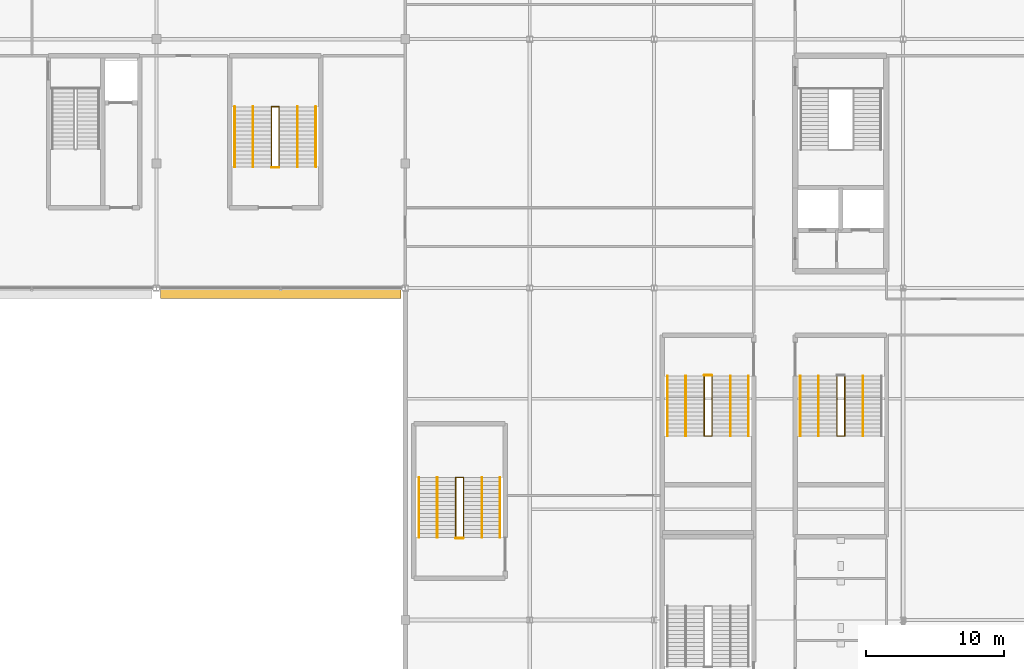
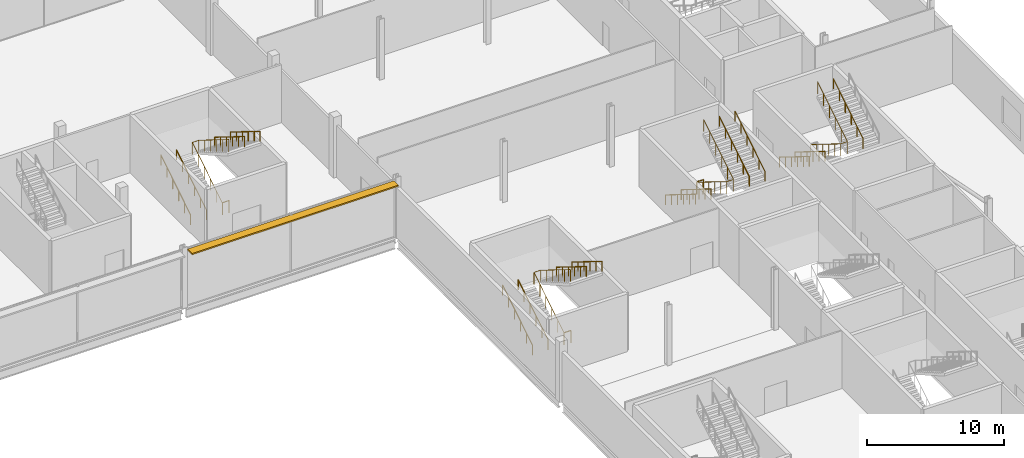
# One storey, part 108 of 111: 22 railings, 1 shading device.
"""IFC4 building model written with IfcOpenShell, lengths in metres."""

from ifc_helpers import new_model, si_unit, direction, frame, origin, origin_2d, place, context, subcontext, project, spatial, rectangle, circle, extrude, material, type_object, element, save


model = new_model("IFC4")

# Units and contexts
model_context = context("Model", 3, precision=1e-05, world=origin(), true_north=direction((0.0, 1.0)))
body_context = subcontext(model_context, "Body", "Model", "MODEL_VIEW")
ifc_project = project(units=[si_unit("LENGTHUNIT", "METRE"), si_unit("AREAUNIT", "SQUARE_METRE"), si_unit("VOLUMEUNIT", "CUBIC_METRE"), si_unit("PLANEANGLEUNIT", "RADIAN"), si_unit("MASSUNIT", "GRAM", prefix="KILO")], contexts=[model_context])

# Site, building, storey
site_placement = place(None, origin())
site = spatial("IfcSite", under=ifc_project, at=site_placement, CompositionType="ELEMENT")
building_placement = place(site_placement, origin())
building = spatial("IfcBuilding", under=site, at=building_placement, Name="Kisiwana Market Hall", CompositionType="ELEMENT")
storey_placement = place(building_placement, frame((0.0, 0.0, 11.39990234375)))
storey = spatial("IfcBuildingStorey", under=building, at=storey_placement, Name="L02", CompositionType="ELEMENT", Elevation=11.39990234375)

# Railings
ifc_material_1 = material(Name="Steel S275", Category="steel")
railing_type_1 = type_object("IfcRailingType", Name="RL-GUARD-1100", PredefinedType="GUARDRAIL", material=ifc_material_1)
railing_1_placement = place(storey_placement, frame((184.219970703125, 77.639892578125, 0.0)))
element("IfcRailing", 1, at=railing_1_placement, inside=storey, type_object=railing_type_1, Name="Stair ST-E4-L02 inner-well guardrail (RL-525)", PredefinedType="GUARDRAIL", context=body_context, shape_type="SweptSolid", body=[
    extrude(circle(Radius=0.02392578125, at=origin_2d()), frame((0.0, 0.0, 1.076171875), z_axis=(0.0, -0.849615114927, 0.52740322002), x_axis=(1.0, 0.0, 0.0)), (0.0, 0.0, 1.0), 5.119873046875),
    extrude(circle(Radius=0.02392578125, at=origin_2d()), frame((0.0, -4.349853515625, 3.7763671875), z_axis=(1.0, 0.0, 0.0), x_axis=(0.0, 1.0, 0.0)), (0.0, 0.0, 1.0), 0.56005859375),
    extrude(circle(Radius=0.02392578125, at=origin_2d()), frame((0.56005859375, -4.349853515625, 3.7763671875), z_axis=(0.0, 0.849636482215, 0.527368797038), x_axis=(-1.0, 0.0, 0.0)), (0.0, 0.0, 1.0), 5.11962890625),
    extrude(circle(Radius=0.02099609375, at=origin_2d()), origin(), (0.0, 0.0, 1.0), 1.052001953125),
    extrude(circle(Radius=0.02099609375, at=origin_2d()), frame((0.0, -0.869873046875, 0.5400390625)), (0.0, 0.0, 1.0), 1.052001953125),
    extrude(circle(Radius=0.02099609375, at=origin_2d()), frame((0.0, -1.739990234375, 1.080078125)), (0.0, 0.0, 1.0), 1.052001953125),
    extrude(circle(Radius=0.02099609375, at=origin_2d()), frame((0.0, -2.60986328125, 1.6201171875)), (0.0, 0.0, 1.0), 1.052001953125),
    extrude(circle(Radius=0.02099609375, at=origin_2d()), frame((0.0, -3.47998046875, 2.16015625)), (0.0, 0.0, 1.0), 1.052001953125),
    extrude(circle(Radius=0.02099609375, at=origin_2d()), frame((0.0, -4.349853515625, 2.7001953125)), (0.0, 0.0, 1.0), 1.052001953125),
    extrude(circle(Radius=0.02099609375, at=origin_2d()), frame((0.56005859375, -4.349853515625, 2.7001953125)), (0.0, 0.0, 1.0), 1.052001953125),
    extrude(circle(Radius=0.02099609375, at=origin_2d()), frame((0.56005859375, -3.47998046875, 3.240234375)), (0.0, 0.0, 1.0), 1.052001953125),
    extrude(circle(Radius=0.02099609375, at=origin_2d()), frame((0.56005859375, -2.60986328125, 3.7802734375)), (0.0, 0.0, 1.0), 1.052001953125),
    extrude(circle(Radius=0.02099609375, at=origin_2d()), frame((0.56005859375, -1.739990234375, 4.320068359375)), (0.0, 0.0, 1.0), 1.052001953125),
    extrude(circle(Radius=0.02099609375, at=origin_2d()), frame((0.56005859375, -0.869873046875, 4.860107421875)), (0.0, 0.0, 1.0), 1.052001953125),
    extrude(circle(Radius=0.02099609375, at=origin_2d()), frame((0.56005859375, 0.0, 5.400146484375)), (0.0, 0.0, 1.0), 1.052001953125),
])
railing_2_placement = place(storey_placement, frame((174.6201171875, 77.639892578125, 0.0)))
element("IfcRailing", 2, at=railing_2_placement, inside=storey, type_object=railing_type_1, Name="Stair ST-E8-L02 inner-well guardrail (RL-549)", PredefinedType="GUARDRAIL", context=body_context, shape_type="SweptSolid", body=[
    extrude(circle(Radius=0.02392578125, at=origin_2d()), frame((0.0, 0.0, 1.076171875), z_axis=(0.0, -0.849615114927, 0.52740322002), x_axis=(1.0, 0.0, 0.0)), (0.0, 0.0, 1.0), 5.119873046875),
    extrude(circle(Radius=0.02392578125, at=origin_2d()), frame((0.0, -4.349853515625, 3.7763671875), z_axis=(1.0, 0.0, 0.0), x_axis=(0.0, 1.0, 0.0)), (0.0, 0.0, 1.0), 0.559814453125),
    extrude(circle(Radius=0.02392578125, at=origin_2d()), frame((0.559814453125, -4.349853515625, 3.7763671875), z_axis=(0.0, 0.849636482215, 0.527368797038), x_axis=(-1.0, 0.0, 0.0)), (0.0, 0.0, 1.0), 5.11962890625),
    extrude(circle(Radius=0.02099609375, at=origin_2d()), origin(), (0.0, 0.0, 1.0), 1.052001953125),
    extrude(circle(Radius=0.02099609375, at=origin_2d()), frame((0.0, -0.869873046875, 0.5400390625)), (0.0, 0.0, 1.0), 1.052001953125),
    extrude(circle(Radius=0.02099609375, at=origin_2d()), frame((0.0, -1.739990234375, 1.080078125)), (0.0, 0.0, 1.0), 1.052001953125),
    extrude(circle(Radius=0.02099609375, at=origin_2d()), frame((0.0, -2.60986328125, 1.6201171875)), (0.0, 0.0, 1.0), 1.052001953125),
    extrude(circle(Radius=0.02099609375, at=origin_2d()), frame((0.0, -3.47998046875, 2.16015625)), (0.0, 0.0, 1.0), 1.052001953125),
    extrude(circle(Radius=0.02099609375, at=origin_2d()), frame((0.0, -4.349853515625, 2.7001953125)), (0.0, 0.0, 1.0), 1.052001953125),
    extrude(circle(Radius=0.02099609375, at=origin_2d()), frame((0.559814453125, -4.349853515625, 2.7001953125)), (0.0, 0.0, 1.0), 1.052001953125),
    extrude(circle(Radius=0.02099609375, at=origin_2d()), frame((0.559814453125, -3.47998046875, 3.240234375)), (0.0, 0.0, 1.0), 1.052001953125),
    extrude(circle(Radius=0.02099609375, at=origin_2d()), frame((0.559814453125, -2.60986328125, 3.7802734375)), (0.0, 0.0, 1.0), 1.052001953125),
    extrude(circle(Radius=0.02099609375, at=origin_2d()), frame((0.559814453125, -1.739990234375, 4.320068359375)), (0.0, 0.0, 1.0), 1.052001953125),
    extrude(circle(Radius=0.02099609375, at=origin_2d()), frame((0.559814453125, -0.869873046875, 4.860107421875)), (0.0, 0.0, 1.0), 1.052001953125),
    extrude(circle(Radius=0.02099609375, at=origin_2d()), frame((0.559814453125, 0.0, 5.400146484375)), (0.0, 0.0, 1.0), 1.052001953125),
])
railing_3_placement = place(storey_placement, frame((174.6201171875, 77.68994140625, 0.0)))
element("IfcRailing", 3, at=railing_3_placement, inside=storey, type_object=railing_type_1, Name="Stair ST-E8-L02 landing edge guardrail (RL-554)", PredefinedType="GUARDRAIL", context=body_context, shape_type="SweptSolid", body=[
    extrude(circle(Radius=0.02392578125, at=origin_2d()), frame((0.0, 0.0, 1.076171875), z_axis=(1.0, 0.0, 0.0), x_axis=(0.0, 1.0, 0.0)), (0.0, 0.0, 1.0), 0.559814453125),
    extrude(circle(Radius=0.02099609375, at=origin_2d()), origin(), (0.0, 0.0, 1.0), 1.052001953125),
    extrude(circle(Radius=0.02099609375, at=origin_2d()), frame((0.559814453125, 0.0, 0.0)), (0.0, 0.0, 1.0), 1.052001953125),
])
railing_4_placement = place(storey_placement, frame((156.64990234375, 65.9599609375, 0.0)))
element("IfcRailing", 4, at=railing_4_placement, inside=storey, type_object=railing_type_1, Name="Stair ST-E10-L02 inner-well guardrail (RL-573)", PredefinedType="GUARDRAIL", context=body_context, shape_type="SweptSolid", body=[
    extrude(circle(Radius=0.02392578125, at=origin_2d()), frame((0.0, 0.0, 1.076171875), z_axis=(0.0, 0.849628378081, 0.527381853271), x_axis=(-1.0, 0.0, 0.0)), (0.0, 0.0, 1.0), 5.1201171875),
    extrude(circle(Radius=0.02392578125, at=origin_2d()), frame((0.0, 4.35009765625, 3.7763671875), z_axis=(1.0, 0.0, 0.0), x_axis=(0.0, 1.0, 0.0)), (0.0, 0.0, 1.0), 0.56005859375),
    extrude(circle(Radius=0.02392578125, at=origin_2d()), frame((0.56005859375, 4.35009765625, 3.7763671875), z_axis=(0.0, -0.849649743971, 0.527347430608), x_axis=(1.0, 0.0, 0.0)), (0.0, 0.0, 1.0), 5.119873046875),
    extrude(circle(Radius=0.02099609375, at=origin_2d()), origin(), (0.0, 0.0, 1.0), 1.052001953125),
    extrude(circle(Radius=0.02099609375, at=origin_2d()), frame((0.0, 0.8701171875, 0.5400390625)), (0.0, 0.0, 1.0), 1.052001953125),
    extrude(circle(Radius=0.02099609375, at=origin_2d()), frame((0.0, 1.739990234375, 1.080078125)), (0.0, 0.0, 1.0), 1.052001953125),
    extrude(circle(Radius=0.02099609375, at=origin_2d()), frame((0.0, 2.610107421875, 1.6201171875)), (0.0, 0.0, 1.0), 1.052001953125),
    extrude(circle(Radius=0.02099609375, at=origin_2d()), frame((0.0, 3.47998046875, 2.16015625)), (0.0, 0.0, 1.0), 1.052001953125),
    extrude(circle(Radius=0.02099609375, at=origin_2d()), frame((0.0, 4.35009765625, 2.7001953125)), (0.0, 0.0, 1.0), 1.052001953125),
    extrude(circle(Radius=0.02099609375, at=origin_2d()), frame((0.56005859375, 4.35009765625, 2.7001953125)), (0.0, 0.0, 1.0), 1.052001953125),
    extrude(circle(Radius=0.02099609375, at=origin_2d()), frame((0.56005859375, 3.47998046875, 3.240234375)), (0.0, 0.0, 1.0), 1.052001953125),
    extrude(circle(Radius=0.02099609375, at=origin_2d()), frame((0.56005859375, 2.610107421875, 3.7802734375)), (0.0, 0.0, 1.0), 1.052001953125),
    extrude(circle(Radius=0.02099609375, at=origin_2d()), frame((0.56005859375, 1.739990234375, 4.320068359375)), (0.0, 0.0, 1.0), 1.052001953125),
    extrude(circle(Radius=0.02099609375, at=origin_2d()), frame((0.56005859375, 0.8701171875, 4.860107421875)), (0.0, 0.0, 1.0), 1.052001953125),
    extrude(circle(Radius=0.02099609375, at=origin_2d()), frame((0.56005859375, 0.0, 5.400146484375)), (0.0, 0.0, 1.0), 1.052001953125),
])
railing_5_placement = place(storey_placement, frame((156.64990234375, 65.909912109375, 0.0)))
element("IfcRailing", 5, at=railing_5_placement, inside=storey, type_object=railing_type_1, Name="Stair ST-E10-L02 landing edge guardrail (RL-578)", PredefinedType="GUARDRAIL", context=body_context, shape_type="SweptSolid", body=[
    extrude(circle(Radius=0.02392578125, at=origin_2d()), frame((0.0, 0.0, 1.076171875), z_axis=(1.0, 0.0, 0.0), x_axis=(0.0, 1.0, 0.0)), (0.0, 0.0, 1.0), 0.56005859375),
    extrude(circle(Radius=0.02099609375, at=origin_2d()), origin(), (0.0, 0.0, 1.0), 1.052001953125),
    extrude(circle(Radius=0.02099609375, at=origin_2d()), frame((0.56005859375, 0.0, 0.0)), (0.0, 0.0, 1.0), 1.052001953125),
])
railing_6_placement = place(storey_placement, frame((143.320068359375, 92.760009765625, 0.0)))
element("IfcRailing", 6, at=railing_6_placement, inside=storey, type_object=railing_type_1, Name="Stair ST-N6-L02 inner-well guardrail (RL-633)", PredefinedType="GUARDRAIL", context=body_context, shape_type="SweptSolid", body=[
    extrude(circle(Radius=0.02392578125, at=origin_2d()), frame((0.0, 0.0, 1.076171875), z_axis=(0.0, 0.849628378081, 0.527381853271), x_axis=(-1.0, 0.0, 0.0)), (0.0, 0.0, 1.0), 5.1201171875),
    extrude(circle(Radius=0.02392578125, at=origin_2d()), frame((0.0, 4.35009765625, 3.7763671875), z_axis=(1.0, 0.0, 0.0), x_axis=(0.0, 1.0, 0.0)), (0.0, 0.0, 1.0), 0.559814453125),
    extrude(circle(Radius=0.02392578125, at=origin_2d()), frame((0.559814453125, 4.35009765625, 3.7763671875), z_axis=(0.0, -0.849649743971, 0.527347430608), x_axis=(1.0, 0.0, 0.0)), (0.0, 0.0, 1.0), 5.119873046875),
    extrude(circle(Radius=0.02099609375, at=origin_2d()), origin(), (0.0, 0.0, 1.0), 1.052001953125),
    extrude(circle(Radius=0.02099609375, at=origin_2d()), frame((0.0, 0.8701171875, 0.5400390625)), (0.0, 0.0, 1.0), 1.052001953125),
    extrude(circle(Radius=0.02099609375, at=origin_2d()), frame((0.0, 1.739990234375, 1.080078125)), (0.0, 0.0, 1.0), 1.052001953125),
    extrude(circle(Radius=0.02099609375, at=origin_2d()), frame((0.0, 2.610107421875, 1.6201171875)), (0.0, 0.0, 1.0), 1.052001953125),
    extrude(circle(Radius=0.02099609375, at=origin_2d()), frame((0.0, 3.47998046875, 2.16015625)), (0.0, 0.0, 1.0), 1.052001953125),
    extrude(circle(Radius=0.02099609375, at=origin_2d()), frame((0.0, 4.35009765625, 2.7001953125)), (0.0, 0.0, 1.0), 1.052001953125),
    extrude(circle(Radius=0.02099609375, at=origin_2d()), frame((0.559814453125, 4.35009765625, 2.7001953125)), (0.0, 0.0, 1.0), 1.052001953125),
    extrude(circle(Radius=0.02099609375, at=origin_2d()), frame((0.559814453125, 3.47998046875, 3.240234375)), (0.0, 0.0, 1.0), 1.052001953125),
    extrude(circle(Radius=0.02099609375, at=origin_2d()), frame((0.559814453125, 2.610107421875, 3.7802734375)), (0.0, 0.0, 1.0), 1.052001953125),
    extrude(circle(Radius=0.02099609375, at=origin_2d()), frame((0.559814453125, 1.739990234375, 4.320068359375)), (0.0, 0.0, 1.0), 1.052001953125),
    extrude(circle(Radius=0.02099609375, at=origin_2d()), frame((0.559814453125, 0.8701171875, 4.860107421875)), (0.0, 0.0, 1.0), 1.052001953125),
    extrude(circle(Radius=0.02099609375, at=origin_2d()), frame((0.559814453125, 0.0, 5.400146484375)), (0.0, 0.0, 1.0), 1.052001953125),
])
railing_7_placement = place(storey_placement, frame((143.320068359375, 92.7099609375, 0.0)))
element("IfcRailing", 7, at=railing_7_placement, inside=storey, type_object=railing_type_1, Name="Stair ST-N6-L02 landing edge guardrail (RL-638)", PredefinedType="GUARDRAIL", context=body_context, shape_type="SweptSolid", body=[
    extrude(circle(Radius=0.02392578125, at=origin_2d()), frame((0.0, 0.0, 1.076171875), z_axis=(1.0, 0.0, 0.0), x_axis=(0.0, 1.0, 0.0)), (0.0, 0.0, 1.0), 0.559814453125),
    extrude(circle(Radius=0.02099609375, at=origin_2d()), origin(), (0.0, 0.0, 1.0), 1.052001953125),
    extrude(circle(Radius=0.02099609375, at=origin_2d()), frame((0.559814453125, 0.0, 0.0)), (0.0, 0.0, 1.0), 1.052001953125),
])
ifc_material_2 = material(Name="Steel S275", Category="steel")
railing_type_2 = type_object("IfcRailingType", Name="RL-HAND-900", PredefinedType="HANDRAIL", material=ifc_material_2)
for number, where, name in (
    (8, (181.570068359375, 77.639892578125, 0.0), "Stair ST-E4-L02 flight 1 handrail (RL-526)"),
    (9, (182.889892578125, 77.639892578125, 0.0), "Stair ST-E4-L02 flight 1 intermediate handrail (RL-528)"),
):
    element("IfcRailing", number, at=place(storey_placement, frame(where)), inside=storey, type_object=railing_type_2, Name=name, PredefinedType="HANDRAIL", context=body_context, shape_type="SweptSolid", body=[
        extrude(circle(Radius=0.02392578125, at=origin_2d()), frame((0.0, 0.0, 0.8759765625), z_axis=(0.0, -0.849615114927, 0.52740322002), x_axis=(1.0, 0.0, 0.0)), (0.0, 0.0, 1.0), 5.119873046875),
        extrude(circle(Radius=0.02099609375, at=origin_2d()), origin(), (0.0, 0.0, 1.0), 0.851806640625),
        extrude(circle(Radius=0.02099609375, at=origin_2d()), frame((0.0, -0.869873046875, 0.5400390625)), (0.0, 0.0, 1.0), 0.851806640625),
        extrude(circle(Radius=0.02099609375, at=origin_2d()), frame((0.0, -1.739990234375, 1.080078125)), (0.0, 0.0, 1.0), 0.851806640625),
        extrude(circle(Radius=0.02099609375, at=origin_2d()), frame((0.0, -2.60986328125, 1.6201171875)), (0.0, 0.0, 1.0), 0.851806640625),
        extrude(circle(Radius=0.02099609375, at=origin_2d()), frame((0.0, -3.47998046875, 2.16015625)), (0.0, 0.0, 1.0), 0.851806640625),
        extrude(circle(Radius=0.02099609375, at=origin_2d()), frame((0.0, -4.349853515625, 2.7001953125)), (0.0, 0.0, 1.0), 0.851806640625),
    ])
railing_8_placement = place(storey_placement, frame((186.110107421875, 73.2900390625, 2.7001953125)))
element("IfcRailing", 10, at=railing_8_placement, inside=storey, type_object=railing_type_2, Name="Stair ST-E4-L02 flight 2 intermediate handrail (RL-529)", PredefinedType="HANDRAIL", context=body_context, shape_type="SweptSolid", body=[
    extrude(circle(Radius=0.02392578125, at=origin_2d()), frame((0.0, 0.0, 0.8759765625), z_axis=(0.0, 0.849636482215, 0.527368797038), x_axis=(-1.0, 0.0, 0.0)), (0.0, 0.0, 1.0), 5.11962890625),
    extrude(circle(Radius=0.02099609375, at=origin_2d()), origin(), (0.0, 0.0, 1.0), 0.851806640625),
    extrude(circle(Radius=0.02099609375, at=origin_2d()), frame((0.0, 0.869873046875, 0.5400390625)), (0.0, 0.0, 1.0), 0.851806640625),
    extrude(circle(Radius=0.02099609375, at=origin_2d()), frame((0.0, 1.739990234375, 1.080078125)), (0.0, 0.0, 1.0), 0.851806640625),
    extrude(circle(Radius=0.02099609375, at=origin_2d()), frame((0.0, 2.60986328125, 1.619873046875)), (0.0, 0.0, 1.0), 0.851806640625),
    extrude(circle(Radius=0.02099609375, at=origin_2d()), frame((0.0, 3.47998046875, 2.159912109375)), (0.0, 0.0, 1.0), 0.851806640625),
    extrude(circle(Radius=0.02099609375, at=origin_2d()), frame((0.0, 4.349853515625, 2.699951171875)), (0.0, 0.0, 1.0), 0.851806640625),
])
railing_9_placement = place(storey_placement, frame((171.969970703125, 77.639892578125, 0.0)))
element("IfcRailing", 11, at=railing_9_placement, inside=storey, type_object=railing_type_2, Name="Stair ST-E8-L02 flight 1 handrail (RL-550)", PredefinedType="HANDRAIL", context=body_context, shape_type="SweptSolid", body=[
    extrude(circle(Radius=0.02392578125, at=origin_2d()), frame((0.0, 0.0, 0.8759765625), z_axis=(0.0, -0.849615114927, 0.52740322002), x_axis=(1.0, 0.0, 0.0)), (0.0, 0.0, 1.0), 5.119873046875),
    extrude(circle(Radius=0.02099609375, at=origin_2d()), origin(), (0.0, 0.0, 1.0), 0.851806640625),
    extrude(circle(Radius=0.02099609375, at=origin_2d()), frame((0.0, -0.869873046875, 0.5400390625)), (0.0, 0.0, 1.0), 0.851806640625),
    extrude(circle(Radius=0.02099609375, at=origin_2d()), frame((0.0, -1.739990234375, 1.080078125)), (0.0, 0.0, 1.0), 0.851806640625),
    extrude(circle(Radius=0.02099609375, at=origin_2d()), frame((0.0, -2.60986328125, 1.6201171875)), (0.0, 0.0, 1.0), 0.851806640625),
    extrude(circle(Radius=0.02099609375, at=origin_2d()), frame((0.0, -3.47998046875, 2.16015625)), (0.0, 0.0, 1.0), 0.851806640625),
    extrude(circle(Radius=0.02099609375, at=origin_2d()), frame((0.0, -4.349853515625, 2.7001953125)), (0.0, 0.0, 1.0), 0.851806640625),
])
railing_10_placement = place(storey_placement, frame((177.830078125, 73.2900390625, 2.7001953125)))
element("IfcRailing", 12, at=railing_10_placement, inside=storey, type_object=railing_type_2, Name="Stair ST-E8-L02 flight 2 handrail (RL-551)", PredefinedType="HANDRAIL", context=body_context, shape_type="SweptSolid", body=[
    extrude(circle(Radius=0.02392578125, at=origin_2d()), frame((0.0, 0.0, 0.8759765625), z_axis=(0.0, 0.849636482215, 0.527368797038), x_axis=(-1.0, 0.0, 0.0)), (0.0, 0.0, 1.0), 5.11962890625),
    extrude(circle(Radius=0.02099609375, at=origin_2d()), origin(), (0.0, 0.0, 1.0), 0.851806640625),
    extrude(circle(Radius=0.02099609375, at=origin_2d()), frame((0.0, 0.869873046875, 0.5400390625)), (0.0, 0.0, 1.0), 0.851806640625),
    extrude(circle(Radius=0.02099609375, at=origin_2d()), frame((0.0, 1.739990234375, 1.080078125)), (0.0, 0.0, 1.0), 0.851806640625),
    extrude(circle(Radius=0.02099609375, at=origin_2d()), frame((0.0, 2.60986328125, 1.619873046875)), (0.0, 0.0, 1.0), 0.851806640625),
    extrude(circle(Radius=0.02099609375, at=origin_2d()), frame((0.0, 3.47998046875, 2.159912109375)), (0.0, 0.0, 1.0), 0.851806640625),
    extrude(circle(Radius=0.02099609375, at=origin_2d()), frame((0.0, 4.349853515625, 2.699951171875)), (0.0, 0.0, 1.0), 0.851806640625),
])
railing_11_placement = place(storey_placement, frame((173.2900390625, 77.639892578125, 0.0)))
element("IfcRailing", 13, at=railing_11_placement, inside=storey, type_object=railing_type_2, Name="Stair ST-E8-L02 flight 1 intermediate handrail (RL-552)", PredefinedType="HANDRAIL", context=body_context, shape_type="SweptSolid", body=[
    extrude(circle(Radius=0.02392578125, at=origin_2d()), frame((0.0, 0.0, 0.8759765625), z_axis=(0.0, -0.849615114927, 0.52740322002), x_axis=(1.0, 0.0, 0.0)), (0.0, 0.0, 1.0), 5.119873046875),
    extrude(circle(Radius=0.02099609375, at=origin_2d()), origin(), (0.0, 0.0, 1.0), 0.851806640625),
    extrude(circle(Radius=0.02099609375, at=origin_2d()), frame((0.0, -0.869873046875, 0.5400390625)), (0.0, 0.0, 1.0), 0.851806640625),
    extrude(circle(Radius=0.02099609375, at=origin_2d()), frame((0.0, -1.739990234375, 1.080078125)), (0.0, 0.0, 1.0), 0.851806640625),
    extrude(circle(Radius=0.02099609375, at=origin_2d()), frame((0.0, -2.60986328125, 1.6201171875)), (0.0, 0.0, 1.0), 0.851806640625),
    extrude(circle(Radius=0.02099609375, at=origin_2d()), frame((0.0, -3.47998046875, 2.16015625)), (0.0, 0.0, 1.0), 0.851806640625),
    extrude(circle(Radius=0.02099609375, at=origin_2d()), frame((0.0, -4.349853515625, 2.7001953125)), (0.0, 0.0, 1.0), 0.851806640625),
])
railing_12_placement = place(storey_placement, frame((176.510009765625, 73.2900390625, 2.7001953125)))
element("IfcRailing", 14, at=railing_12_placement, inside=storey, type_object=railing_type_2, Name="Stair ST-E8-L02 flight 2 intermediate handrail (RL-553)", PredefinedType="HANDRAIL", context=body_context, shape_type="SweptSolid", body=[
    extrude(circle(Radius=0.02392578125, at=origin_2d()), frame((0.0, 0.0, 0.8759765625), z_axis=(0.0, 0.849636482215, 0.527368797038), x_axis=(-1.0, 0.0, 0.0)), (0.0, 0.0, 1.0), 5.11962890625),
    extrude(circle(Radius=0.02099609375, at=origin_2d()), origin(), (0.0, 0.0, 1.0), 0.851806640625),
    extrude(circle(Radius=0.02099609375, at=origin_2d()), frame((0.0, 0.869873046875, 0.5400390625)), (0.0, 0.0, 1.0), 0.851806640625),
    extrude(circle(Radius=0.02099609375, at=origin_2d()), frame((0.0, 1.739990234375, 1.080078125)), (0.0, 0.0, 1.0), 0.851806640625),
    extrude(circle(Radius=0.02099609375, at=origin_2d()), frame((0.0, 2.60986328125, 1.619873046875)), (0.0, 0.0, 1.0), 0.851806640625),
    extrude(circle(Radius=0.02099609375, at=origin_2d()), frame((0.0, 3.47998046875, 2.159912109375)), (0.0, 0.0, 1.0), 0.851806640625),
    extrude(circle(Radius=0.02099609375, at=origin_2d()), frame((0.0, 4.349853515625, 2.699951171875)), (0.0, 0.0, 1.0), 0.851806640625),
])
railing_13_placement = place(storey_placement, frame((154.0, 65.9599609375, 0.0)))
element("IfcRailing", 15, at=railing_13_placement, inside=storey, type_object=railing_type_2, Name="Stair ST-E10-L02 flight 1 handrail (RL-574)", PredefinedType="HANDRAIL", context=body_context, shape_type="SweptSolid", body=[
    extrude(circle(Radius=0.02392578125, at=origin_2d()), frame((0.0, 0.0, 0.8759765625), z_axis=(0.0, 0.849628378081, 0.527381853271), x_axis=(-1.0, 0.0, 0.0)), (0.0, 0.0, 1.0), 5.1201171875),
    extrude(circle(Radius=0.02099609375, at=origin_2d()), origin(), (0.0, 0.0, 1.0), 0.851806640625),
    extrude(circle(Radius=0.02099609375, at=origin_2d()), frame((0.0, 0.8701171875, 0.5400390625)), (0.0, 0.0, 1.0), 0.851806640625),
    extrude(circle(Radius=0.02099609375, at=origin_2d()), frame((0.0, 1.739990234375, 1.080078125)), (0.0, 0.0, 1.0), 0.851806640625),
    extrude(circle(Radius=0.02099609375, at=origin_2d()), frame((0.0, 2.610107421875, 1.6201171875)), (0.0, 0.0, 1.0), 0.851806640625),
    extrude(circle(Radius=0.02099609375, at=origin_2d()), frame((0.0, 3.47998046875, 2.16015625)), (0.0, 0.0, 1.0), 0.851806640625),
    extrude(circle(Radius=0.02099609375, at=origin_2d()), frame((0.0, 4.35009765625, 2.7001953125)), (0.0, 0.0, 1.0), 0.851806640625),
])
railing_14_placement = place(storey_placement, frame((159.860107421875, 70.31005859375, 2.7001953125)))
element("IfcRailing", 16, at=railing_14_placement, inside=storey, type_object=railing_type_2, Name="Stair ST-E10-L02 flight 2 handrail (RL-575)", PredefinedType="HANDRAIL", context=body_context, shape_type="SweptSolid", body=[
    extrude(circle(Radius=0.02392578125, at=origin_2d()), frame((0.0, 0.0, 0.8759765625), z_axis=(0.0, -0.849649743971, 0.527347430608), x_axis=(1.0, 0.0, 0.0)), (0.0, 0.0, 1.0), 5.119873046875),
    extrude(circle(Radius=0.02099609375, at=origin_2d()), origin(), (0.0, 0.0, 1.0), 0.851806640625),
    extrude(circle(Radius=0.02099609375, at=origin_2d()), frame((0.0, -0.8701171875, 0.5400390625)), (0.0, 0.0, 1.0), 0.851806640625),
    extrude(circle(Radius=0.02099609375, at=origin_2d()), frame((0.0, -1.739990234375, 1.080078125)), (0.0, 0.0, 1.0), 0.851806640625),
    extrude(circle(Radius=0.02099609375, at=origin_2d()), frame((0.0, -2.610107421875, 1.619873046875)), (0.0, 0.0, 1.0), 0.851806640625),
    extrude(circle(Radius=0.02099609375, at=origin_2d()), frame((0.0, -3.47998046875, 2.159912109375)), (0.0, 0.0, 1.0), 0.851806640625),
    extrude(circle(Radius=0.02099609375, at=origin_2d()), frame((0.0, -4.35009765625, 2.699951171875)), (0.0, 0.0, 1.0), 0.851806640625),
])
railing_15_placement = place(storey_placement, frame((155.320068359375, 65.9599609375, 0.0)))
element("IfcRailing", 17, at=railing_15_placement, inside=storey, type_object=railing_type_2, Name="Stair ST-E10-L02 flight 1 intermediate handrail (RL-576)", PredefinedType="HANDRAIL", context=body_context, shape_type="SweptSolid", body=[
    extrude(circle(Radius=0.02392578125, at=origin_2d()), frame((0.0, 0.0, 0.8759765625), z_axis=(0.0, 0.849628378081, 0.527381853271), x_axis=(-1.0, 0.0, 0.0)), (0.0, 0.0, 1.0), 5.1201171875),
    extrude(circle(Radius=0.02099609375, at=origin_2d()), origin(), (0.0, 0.0, 1.0), 0.851806640625),
    extrude(circle(Radius=0.02099609375, at=origin_2d()), frame((0.0, 0.8701171875, 0.5400390625)), (0.0, 0.0, 1.0), 0.851806640625),
    extrude(circle(Radius=0.02099609375, at=origin_2d()), frame((0.0, 1.739990234375, 1.080078125)), (0.0, 0.0, 1.0), 0.851806640625),
    extrude(circle(Radius=0.02099609375, at=origin_2d()), frame((0.0, 2.610107421875, 1.6201171875)), (0.0, 0.0, 1.0), 0.851806640625),
    extrude(circle(Radius=0.02099609375, at=origin_2d()), frame((0.0, 3.47998046875, 2.16015625)), (0.0, 0.0, 1.0), 0.851806640625),
    extrude(circle(Radius=0.02099609375, at=origin_2d()), frame((0.0, 4.35009765625, 2.7001953125)), (0.0, 0.0, 1.0), 0.851806640625),
])
railing_16_placement = place(storey_placement, frame((158.5400390625, 70.31005859375, 2.7001953125)))
element("IfcRailing", 18, at=railing_16_placement, inside=storey, type_object=railing_type_2, Name="Stair ST-E10-L02 flight 2 intermediate handrail (RL-577)", PredefinedType="HANDRAIL", context=body_context, shape_type="SweptSolid", body=[
    extrude(circle(Radius=0.02392578125, at=origin_2d()), frame((0.0, 0.0, 0.8759765625), z_axis=(0.0, -0.849649743971, 0.527347430608), x_axis=(1.0, 0.0, 0.0)), (0.0, 0.0, 1.0), 5.119873046875),
    extrude(circle(Radius=0.02099609375, at=origin_2d()), origin(), (0.0, 0.0, 1.0), 0.851806640625),
    extrude(circle(Radius=0.02099609375, at=origin_2d()), frame((0.0, -0.8701171875, 0.5400390625)), (0.0, 0.0, 1.0), 0.851806640625),
    extrude(circle(Radius=0.02099609375, at=origin_2d()), frame((0.0, -1.739990234375, 1.080078125)), (0.0, 0.0, 1.0), 0.851806640625),
    extrude(circle(Radius=0.02099609375, at=origin_2d()), frame((0.0, -2.610107421875, 1.619873046875)), (0.0, 0.0, 1.0), 0.851806640625),
    extrude(circle(Radius=0.02099609375, at=origin_2d()), frame((0.0, -3.47998046875, 2.159912109375)), (0.0, 0.0, 1.0), 0.851806640625),
    extrude(circle(Radius=0.02099609375, at=origin_2d()), frame((0.0, -4.35009765625, 2.699951171875)), (0.0, 0.0, 1.0), 0.851806640625),
])
railing_17_placement = place(storey_placement, frame((140.669921875, 92.760009765625, 0.0)))
element("IfcRailing", 19, at=railing_17_placement, inside=storey, type_object=railing_type_2, Name="Stair ST-N6-L02 flight 1 handrail (RL-634)", PredefinedType="HANDRAIL", context=body_context, shape_type="SweptSolid", body=[
    extrude(circle(Radius=0.02392578125, at=origin_2d()), frame((0.0, 0.0, 0.8759765625), z_axis=(0.0, 0.849628378081, 0.527381853271), x_axis=(-1.0, 0.0, 0.0)), (0.0, 0.0, 1.0), 5.1201171875),
    extrude(circle(Radius=0.02099609375, at=origin_2d()), origin(), (0.0, 0.0, 1.0), 0.851806640625),
    extrude(circle(Radius=0.02099609375, at=origin_2d()), frame((0.0, 0.8701171875, 0.5400390625)), (0.0, 0.0, 1.0), 0.851806640625),
    extrude(circle(Radius=0.02099609375, at=origin_2d()), frame((0.0, 1.739990234375, 1.080078125)), (0.0, 0.0, 1.0), 0.851806640625),
    extrude(circle(Radius=0.02099609375, at=origin_2d()), frame((0.0, 2.610107421875, 1.6201171875)), (0.0, 0.0, 1.0), 0.851806640625),
    extrude(circle(Radius=0.02099609375, at=origin_2d()), frame((0.0, 3.47998046875, 2.16015625)), (0.0, 0.0, 1.0), 0.851806640625),
    extrude(circle(Radius=0.02099609375, at=origin_2d()), frame((0.0, 4.35009765625, 2.7001953125)), (0.0, 0.0, 1.0), 0.851806640625),
])
railing_18_placement = place(storey_placement, frame((146.530029296875, 97.110107421875, 2.7001953125)))
element("IfcRailing", 20, at=railing_18_placement, inside=storey, type_object=railing_type_2, Name="Stair ST-N6-L02 flight 2 handrail (RL-635)", PredefinedType="HANDRAIL", context=body_context, shape_type="SweptSolid", body=[
    extrude(circle(Radius=0.02392578125, at=origin_2d()), frame((0.0, 0.0, 0.8759765625), z_axis=(0.0, -0.849649743971, 0.527347430608), x_axis=(1.0, 0.0, 0.0)), (0.0, 0.0, 1.0), 5.119873046875),
    extrude(circle(Radius=0.02099609375, at=origin_2d()), origin(), (0.0, 0.0, 1.0), 0.851806640625),
    extrude(circle(Radius=0.02099609375, at=origin_2d()), frame((0.0, -0.8701171875, 0.5400390625)), (0.0, 0.0, 1.0), 0.851806640625),
    extrude(circle(Radius=0.02099609375, at=origin_2d()), frame((0.0, -1.739990234375, 1.080078125)), (0.0, 0.0, 1.0), 0.851806640625),
    extrude(circle(Radius=0.02099609375, at=origin_2d()), frame((0.0, -2.610107421875, 1.619873046875)), (0.0, 0.0, 1.0), 0.851806640625),
    extrude(circle(Radius=0.02099609375, at=origin_2d()), frame((0.0, -3.47998046875, 2.159912109375)), (0.0, 0.0, 1.0), 0.851806640625),
    extrude(circle(Radius=0.02099609375, at=origin_2d()), frame((0.0, -4.35009765625, 2.699951171875)), (0.0, 0.0, 1.0), 0.851806640625),
])
railing_19_placement = place(storey_placement, frame((141.989990234375, 92.760009765625, 0.0)))
element("IfcRailing", 21, at=railing_19_placement, inside=storey, type_object=railing_type_2, Name="Stair ST-N6-L02 flight 1 intermediate handrail (RL-636)", PredefinedType="HANDRAIL", context=body_context, shape_type="SweptSolid", body=[
    extrude(circle(Radius=0.02392578125, at=origin_2d()), frame((0.0, 0.0, 0.8759765625), z_axis=(0.0, 0.849628378081, 0.527381853271), x_axis=(-1.0, 0.0, 0.0)), (0.0, 0.0, 1.0), 5.1201171875),
    extrude(circle(Radius=0.02099609375, at=origin_2d()), origin(), (0.0, 0.0, 1.0), 0.851806640625),
    extrude(circle(Radius=0.02099609375, at=origin_2d()), frame((0.0, 0.8701171875, 0.5400390625)), (0.0, 0.0, 1.0), 0.851806640625),
    extrude(circle(Radius=0.02099609375, at=origin_2d()), frame((0.0, 1.739990234375, 1.080078125)), (0.0, 0.0, 1.0), 0.851806640625),
    extrude(circle(Radius=0.02099609375, at=origin_2d()), frame((0.0, 2.610107421875, 1.6201171875)), (0.0, 0.0, 1.0), 0.851806640625),
    extrude(circle(Radius=0.02099609375, at=origin_2d()), frame((0.0, 3.47998046875, 2.16015625)), (0.0, 0.0, 1.0), 0.851806640625),
    extrude(circle(Radius=0.02099609375, at=origin_2d()), frame((0.0, 4.35009765625, 2.7001953125)), (0.0, 0.0, 1.0), 0.851806640625),
])
railing_20_placement = place(storey_placement, frame((145.2099609375, 97.110107421875, 2.7001953125)))
element("IfcRailing", 22, at=railing_20_placement, inside=storey, type_object=railing_type_2, Name="Stair ST-N6-L02 flight 2 intermediate handrail (RL-637)", PredefinedType="HANDRAIL", context=body_context, shape_type="SweptSolid", body=[
    extrude(circle(Radius=0.02392578125, at=origin_2d()), frame((0.0, 0.0, 0.8759765625), z_axis=(0.0, -0.849649743971, 0.527347430608), x_axis=(1.0, 0.0, 0.0)), (0.0, 0.0, 1.0), 5.119873046875),
    extrude(circle(Radius=0.02099609375, at=origin_2d()), origin(), (0.0, 0.0, 1.0), 0.851806640625),
    extrude(circle(Radius=0.02099609375, at=origin_2d()), frame((0.0, -0.8701171875, 0.5400390625)), (0.0, 0.0, 1.0), 0.851806640625),
    extrude(circle(Radius=0.02099609375, at=origin_2d()), frame((0.0, -1.739990234375, 1.080078125)), (0.0, 0.0, 1.0), 0.851806640625),
    extrude(circle(Radius=0.02099609375, at=origin_2d()), frame((0.0, -2.610107421875, 1.619873046875)), (0.0, 0.0, 1.0), 0.851806640625),
    extrude(circle(Radius=0.02099609375, at=origin_2d()), frame((0.0, -3.47998046875, 2.159912109375)), (0.0, 0.0, 1.0), 0.851806640625),
    extrude(circle(Radius=0.02099609375, at=origin_2d()), frame((0.0, -4.35009765625, 2.699951171875)), (0.0, 0.0, 1.0), 0.851806640625),
])

# Shading device
ifc_material_3 = material(Name="Aluminium alloy 6063-T6", Category="aluminium")
shading_device_type = type_object("IfcShadingDeviceType", Name="SHD-JALOUSIE-H", PredefinedType="JALOUSIE", material=ifc_material_3)
shading_device_placement = place(storey_placement, frame((144.0, 83.580078125, 4.969970703125), z_axis=(0.0, 0.0, 1.0), x_axis=(1.0, 0.0, 0.0)))
element("IfcShadingDevice", 23, at=shading_device_placement, inside=storey, type_object=shading_device_type, Name="Aluminium brise-soleil louvre SHD-056 SD-056", PredefinedType="JALOUSIE", context=body_context, shape_type="SweptSolid", body=[
    extrude(rectangle(XDim=17.387939453125, YDim=0.64990234375, at=origin_2d()), origin(), (0.0, 0.0, 1.0), 0.1201171875),
])

save(model, "model.ifc")
